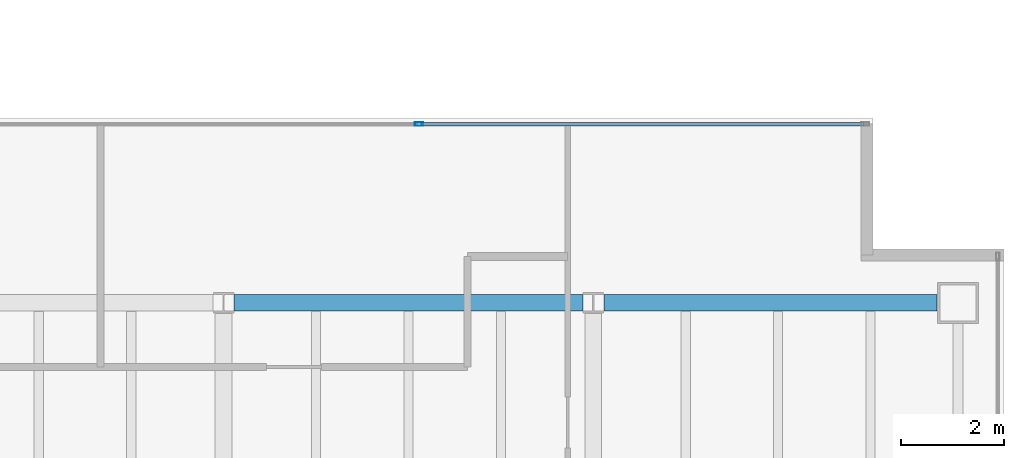
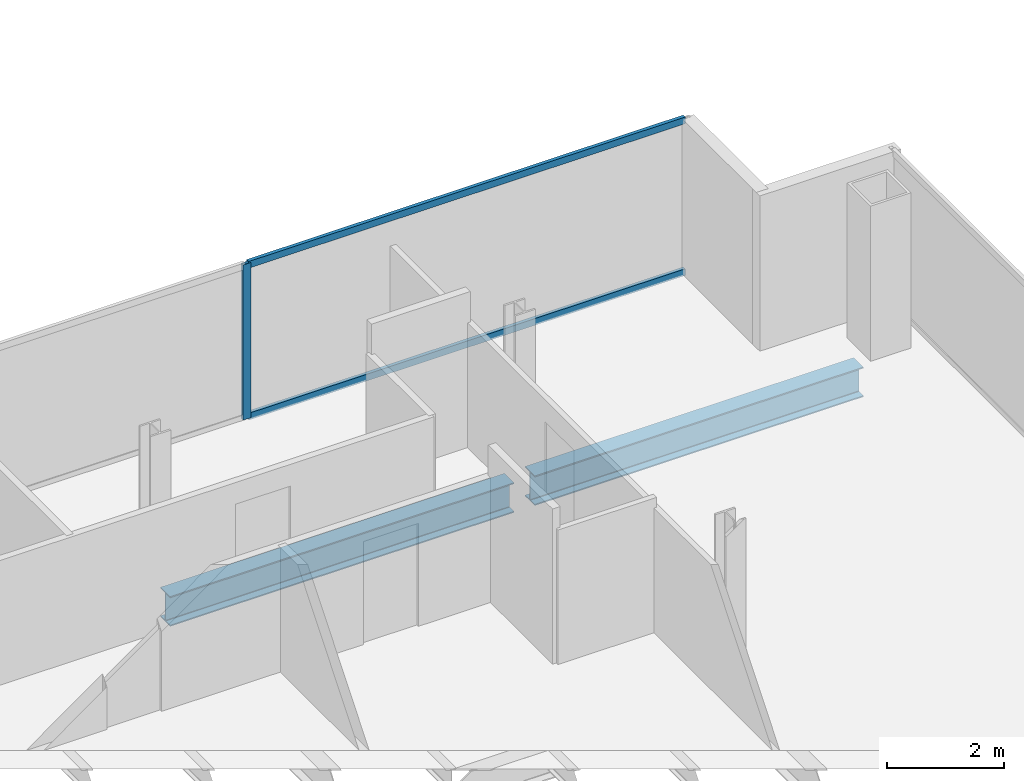
# One storey, part 15 of 23: 3 members, 2 beams, 1 element without a shape of its own.
"""IFC4 building model written with IfcOpenShell, lengths in metres."""

from ifc_helpers import new_model, si_unit, direction, frame, origin, origin_2d, place, context, subcontext, project, spatial, hollow_rectangle, i_section, extrude, material, material_profile, profile_set, type_object, element, aggregate, save


model = new_model("IFC4")

# Units and contexts
model_context = context("Model", 3, precision=1e-05, world=origin(), true_north=direction((0.0, 1.0)))
body_context = subcontext(model_context, "Body", "Model", "MODEL_VIEW")
ifc_project = project(units=[si_unit("LENGTHUNIT", "METRE"), si_unit("AREAUNIT", "SQUARE_METRE"), si_unit("VOLUMEUNIT", "CUBIC_METRE"), si_unit("PLANEANGLEUNIT", "RADIAN"), si_unit("MASSUNIT", "GRAM", prefix="KILO")], contexts=[model_context])

# Site, building, storey
site_placement = place(None, origin())
site = spatial("IfcSite", under=ifc_project, at=site_placement, CompositionType="ELEMENT")
building_placement = place(site_placement, origin())
building = spatial("IfcBuilding", under=site, at=building_placement, Name="Cobrela Telecom Tower", CompositionType="ELEMENT")
storey_placement = place(building_placement, frame((0.0, 0.0, 194.25)))
storey = spatial("IfcBuildingStorey", under=building, at=storey_placement, Name="L49", CompositionType="ELEMENT", Elevation=194.25)

# Beams
ifc_material_1 = material(Name="Steel ASTM A992 Grade 50", Category="steel")
ifc_material_profile_1 = material_profile(ifc_material_1, i_section(OverallWidth=0.327880859375, OverallDepth=0.6220703125, WebThickness=0.015380859375, FlangeThickness=0.0244140625, FilletRadius=0.014892578125, at=origin_2d()), Name="W24X131")
ifc_profile_set_1 = profile_set([ifc_material_profile_1], Name="Steel ASTM A992 Grade 50")
beam_type = type_object("IfcBeamType", Name="BM-GIRD-06", PredefinedType="USERDEFINED", material=ifc_profile_set_1)
beam_1_placement = place(storey_placement, frame((29.00439453125, 21.60009765625, -0.571044921875), z_axis=(1.0, 0.0, 0.0), x_axis=(0.0, 1.0, 0.0)))
element("IfcBeam", 1, at=beam_1_placement, inside=storey, type_object=beam_type, Name="L49 Primary Girder X17", ObjectType="GIRDER", PredefinedType="USERDEFINED", context=body_context, shape_type="SweptSolid", body=[
    extrude(i_section(OverallWidth=0.327880859375, OverallDepth=0.6220703125, WebThickness=0.015380859375, FlangeThickness=0.0244140625, FilletRadius=0.014892578125, at=origin_2d()), origin(), (0.0, 0.0, 1.0), 6.791015625),
])
beam_2_placement = place(storey_placement, frame((36.20458984375, 21.60009765625, -0.571044921875), z_axis=(1.0, 0.0, 0.0), x_axis=(0.0, 1.0, 0.0)))
element("IfcBeam", 2, at=beam_2_placement, inside=storey, type_object=beam_type, Name="L49 Primary Girder X18", ObjectType="GIRDER", PredefinedType="USERDEFINED", context=body_context, shape_type="SweptSolid", body=[
    extrude(i_section(OverallWidth=0.327880859375, OverallDepth=0.6220703125, WebThickness=0.015380859375, FlangeThickness=0.0244140625, FilletRadius=0.014892578125, at=origin_2d()), origin(), (0.0, 0.0, 1.0), 6.490478515625),
])

# Curtain wall, members
ifc_material_2 = material(Name="Anodized Bronze Aluminium 6063-T6", Category="aluminium")
curtain_wall_type = type_object("IfcCurtainWallType", Name="CW-SYS-OFF-LO", PredefinedType="USERDEFINED", material=ifc_material_2)
curtain_wall_placement = place(storey_placement, origin())
curtain_wall = element("IfcCurtainWall", 3, at=curtain_wall_placement, inside=storey, type_object=curtain_wall_type, Name="L49 Unitised Bronze Curtain Wall 11", ObjectType="UNITISED CURTAIN WALL", PredefinedType="USERDEFINED")
ifc_material_profile_2 = material_profile(ifc_material_2, hollow_rectangle(XDim=0.070068359375, YDim=0.159912109375, WallThickness=0.00390625, at=origin_2d()), Name="ALU 70x160x4")
ifc_profile_set_2 = profile_set([ifc_material_profile_2], Name="Anodized Bronze Aluminium 6063-T6")
member_type_1 = type_object("IfcMemberType", Name="CW-SYS-OFF-LO-MUL", PredefinedType="MULLION", material=ifc_profile_set_2)
member_1_placement = place(storey_placement, frame((32.60498046875, 25.080078125, 0.0), z_axis=(0.0, 0.0, 1.0), x_axis=(0.0, 1.0, 0.0)))
member_1 = element("IfcMember", 4, at=member_1_placement, type_object=member_type_1, Name="CW-OFF-LO mullion 2", PredefinedType="MULLION", context=body_context, shape_type="SweptSolid", body=[
    extrude(hollow_rectangle(XDim=0.070068359375, YDim=0.159912109375, WallThickness=0.00390625, at=origin_2d()), origin(), (0.0, 0.0, 1.0), 3.239990234375),
])
ifc_material_profile_3 = material_profile(ifc_material_2, hollow_rectangle(XDim=0.070068359375, YDim=0.139892578125, WallThickness=0.00390625, at=origin_2d()), Name="ALU 70x140x4")
ifc_profile_set_3 = profile_set([ifc_material_profile_3], Name="Anodized Bronze Aluminium 6063-T6")
member_type_2 = type_object("IfcMemberType", Name="CW-SYS-OFF-LO-TRN", PredefinedType="USERDEFINED", material=ifc_profile_set_3)
member_2_placement = place(storey_placement, frame((32.639892578125, 25.080078125, 0.034912109375), z_axis=(1.0, 0.0, 0.0), x_axis=(0.0, 1.0, 0.0)))
member_2 = element("IfcMember", 5, at=member_2_placement, type_object=member_type_2, Name="CW-OFF-LO transom 2.1", ObjectType="TRANSOM", PredefinedType="USERDEFINED", context=body_context, shape_type="SweptSolid", body=[
    extrude(hollow_rectangle(XDim=0.070068359375, YDim=0.139892578125, WallThickness=0.00390625, at=origin_2d()), origin(), (0.0, 0.0, 1.0), 8.6201171875),
])
member_3_placement = place(storey_placement, frame((32.639892578125, 25.080078125, 3.205078125), z_axis=(1.0, 0.0, 0.0), x_axis=(0.0, 1.0, 0.0)))
member_3 = element("IfcMember", 6, at=member_3_placement, type_object=member_type_2, Name="CW-OFF-LO transom 2.2", ObjectType="TRANSOM", PredefinedType="USERDEFINED", context=body_context, shape_type="SweptSolid", body=[
    extrude(hollow_rectangle(XDim=0.070068359375, YDim=0.139892578125, WallThickness=0.00390625, at=origin_2d()), origin(), (0.0, 0.0, 1.0), 8.6201171875),
])
aggregate(curtain_wall, [member_1, member_2, member_3])

save(model, "model.ifc")
